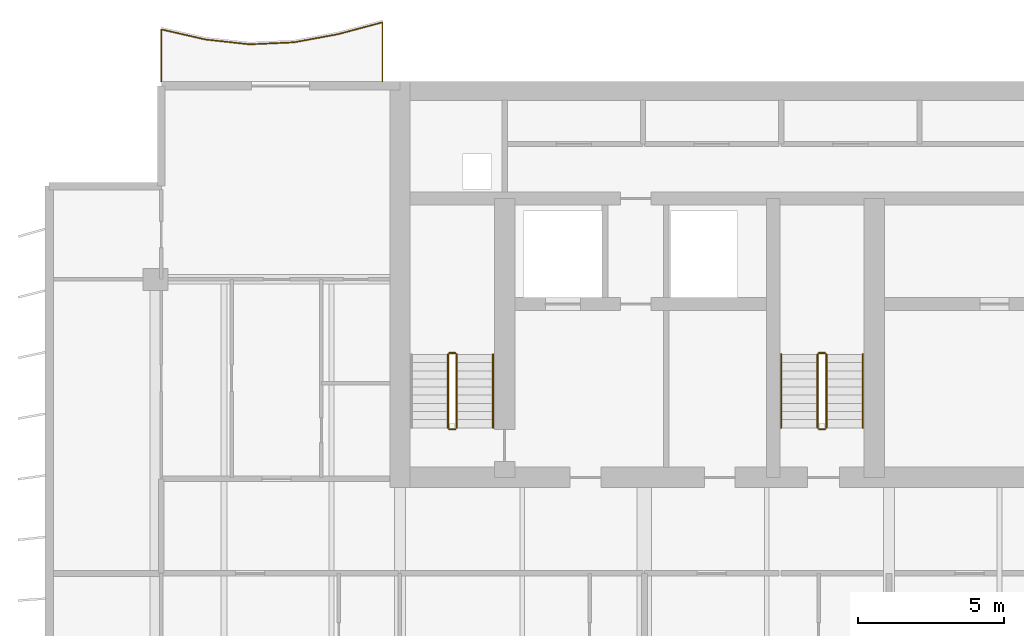
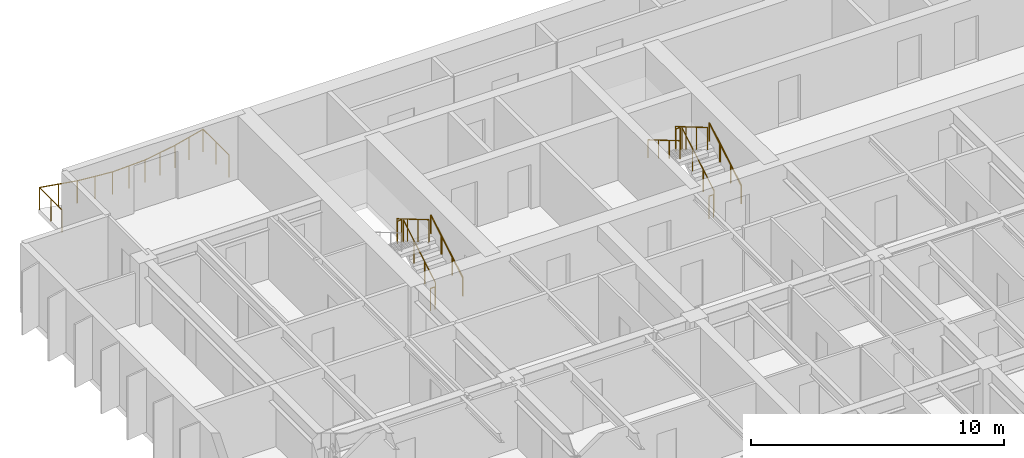
# One storey, part 17 of 19: 12 railings.
"""IFC4 building model written with IfcOpenShell, lengths in metres."""

from ifc_helpers import new_model, si_unit, direction, frame, origin, origin_2d, place, context, subcontext, project, spatial, circle, extrude, material, type_object, element, save


model = new_model("IFC4")

# Units and contexts
model_context = context("Model", 3, precision=1e-05, world=origin(), true_north=direction((0.0, 1.0)))
body_context = subcontext(model_context, "Body", "Model", "MODEL_VIEW")
ifc_project = project(units=[si_unit("LENGTHUNIT", "METRE"), si_unit("AREAUNIT", "SQUARE_METRE"), si_unit("VOLUMEUNIT", "CUBIC_METRE"), si_unit("PLANEANGLEUNIT", "RADIAN"), si_unit("MASSUNIT", "GRAM", prefix="KILO")], contexts=[model_context])

# Site, building, storey
site_placement = place(None, origin())
site = spatial("IfcSite", under=ifc_project, at=site_placement, CompositionType="ELEMENT")
building_placement = place(site_placement, origin())
building = spatial("IfcBuilding", under=site, at=building_placement, Name="Caelmar Bay Residences", CompositionType="ELEMENT")
storey_placement = place(building_placement, frame((0.0, 0.0, 167.10009765625)))
storey = spatial("IfcBuildingStorey", under=building, at=storey_placement, Name="L46", CompositionType="ELEMENT", Elevation=167.10009765625)

# Railings
ifc_material_1 = material(Name="Anodised bronze handrail with laminated hurricane glass infill", Category="glass")
railing_type_1 = type_object("IfcRailingType", Name="RL-BAL-1100", PredefinedType="BALUSTRADE", material=ifc_material_1)
railing_1_placement = place(storey_placement, frame((17.699951171875, 50.60009765625, 0.0)))
element("IfcRailing", 1, at=railing_1_placement, inside=storey, type_object=railing_type_1, Name="L46 north_west Balcony Balustrade", PredefinedType="BALUSTRADE", context=body_context, shape_type="SweptSolid", body=[
    extrude(circle(Radius=0.02392578125, at=origin_2d()), frame((0.0, 0.0, 1.076171875), z_axis=(0.0, 1.0, 0.0), x_axis=(-1.0, 0.0, 0.0)), (0.0, 0.0, 1.0), 2.031005859375),
    extrude(circle(Radius=0.02392578125, at=origin_2d()), frame((0.0, 2.031005859375, 1.076171875), z_axis=(-0.966206600501, -0.25776889872, 0.0), x_axis=(0.25776889872, -0.966206600501, 0.0)), (0.0, 0.0, 1.0), 1.5732421875),
    extrude(circle(Radius=0.02392578125, at=origin_2d()), frame((-1.52001953125, 1.62548828125, 1.076171875), z_axis=(-0.983309224326, -0.181942214331, 0.0), x_axis=(0.181942214331, -0.983309224326, 0.0)), (0.0, 0.0, 1.0), 1.5458984375),
    extrude(circle(Radius=0.02392578125, at=origin_2d()), frame((-3.0400390625, 1.34423828125, 1.076171875), z_axis=(-0.998975805625, -0.045247538899, 0.0), x_axis=(0.045247538899, -0.998975805625, 0.0)), (0.0, 0.0, 1.0), 1.521484375),
    extrude(circle(Radius=0.02392578125, at=origin_2d()), frame((-4.56005859375, 1.275390625, 1.076171875), z_axis=(-0.994138121061, 0.108117511319, 0.0), x_axis=(-0.108117511319, -0.994138121061, 0.0)), (0.0, 0.0, 1.0), 1.52880859375),
    extrude(circle(Radius=0.02392578125, at=origin_2d()), frame((-6.079833984375, 1.440673828125, 1.076171875), z_axis=(-0.974861421848, 0.222812046786, 0.0), x_axis=(-0.222812046786, -0.974861421848, 0.0)), (0.0, 0.0, 1.0), 1.559326171875),
    extrude(circle(Radius=0.02392578125, at=origin_2d()), frame((-7.599853515625, 1.7880859375, 1.076171875), z_axis=(0.0, -1.0, 0.0), x_axis=(1.0, 0.0, 0.0)), (0.0, 0.0, 1.0), 1.7880859375),
    extrude(circle(Radius=0.02099609375, at=origin_2d()), origin(), (0.0, 0.0, 1.0), 1.052001953125),
    extrude(circle(Radius=0.02099609375, at=origin_2d()), frame((0.0, 1.015625, 0.0)), (0.0, 0.0, 1.0), 1.052001953125),
    extrude(circle(Radius=0.02099609375, at=origin_2d()), frame((0.0, 2.031005859375, 0.0)), (0.0, 0.0, 1.0), 1.052001953125),
    extrude(circle(Radius=0.02099609375, at=origin_2d()), frame((-0.760009765625, 1.828125, 0.0)), (0.0, 0.0, 1.0), 1.052001953125),
    extrude(circle(Radius=0.02099609375, at=origin_2d()), frame((-1.52001953125, 1.62548828125, 0.0)), (0.0, 0.0, 1.0), 1.052001953125),
    extrude(circle(Radius=0.02099609375, at=origin_2d()), frame((-2.280029296875, 1.48486328125, 0.0)), (0.0, 0.0, 1.0), 1.052001953125),
    extrude(circle(Radius=0.02099609375, at=origin_2d()), frame((-3.0400390625, 1.34423828125, 0.0)), (0.0, 0.0, 1.0), 1.052001953125),
    extrude(circle(Radius=0.02099609375, at=origin_2d()), frame((-3.800048828125, 1.309814453125, 0.0)), (0.0, 0.0, 1.0), 1.052001953125),
    extrude(circle(Radius=0.02099609375, at=origin_2d()), frame((-4.56005859375, 1.275390625, 0.0)), (0.0, 0.0, 1.0), 1.052001953125),
    extrude(circle(Radius=0.02099609375, at=origin_2d()), frame((-5.31982421875, 1.35791015625, 0.0)), (0.0, 0.0, 1.0), 1.052001953125),
    extrude(circle(Radius=0.02099609375, at=origin_2d()), frame((-6.079833984375, 1.440673828125, 0.0)), (0.0, 0.0, 1.0), 1.052001953125),
    extrude(circle(Radius=0.02099609375, at=origin_2d()), frame((-6.83984375, 1.6142578125, 0.0)), (0.0, 0.0, 1.0), 1.052001953125),
    extrude(circle(Radius=0.02099609375, at=origin_2d()), frame((-7.599853515625, 1.7880859375, 0.0)), (0.0, 0.0, 1.0), 1.052001953125),
    extrude(circle(Radius=0.02099609375, at=origin_2d()), frame((-7.599853515625, 0.89404296875, 0.0)), (0.0, 0.0, 1.0), 1.052001953125),
    extrude(circle(Radius=0.02099609375, at=origin_2d()), frame((-7.599853515625, 0.0, 0.0)), (0.0, 0.0, 1.0), 1.052001953125),
])
ifc_material_2 = material(Name="Painted galvanized steel stair guard 1100 mm", Category="steel")
railing_type_2 = type_object("IfcRailingType", Name="RL-GRD-1100", PredefinedType="GUARDRAIL", material=ifc_material_2)
railing_2_placement = place(storey_placement, frame((20.25, 38.699951171875, 0.164794921875)))
element("IfcRailing", 2, at=railing_2_placement, inside=storey, type_object=railing_type_2, Name="L46 ST1 stair guard 1", PredefinedType="GUARDRAIL", context=body_context, shape_type="SweptSolid", body=[
    extrude(circle(Radius=0.02392578125, at=origin_2d()), frame((0.0, 0.0, 1.076171875), z_axis=(0.0, 0.86152411907, 0.507716645641), x_axis=(-1.0, 0.0, 0.0)), (0.0, 0.0, 1.0), 2.925048828125),
    extrude(circle(Radius=0.02099609375, at=origin_2d()), origin(), (0.0, 0.0, 1.0), 1.052001953125),
    extrude(circle(Radius=0.02099609375, at=origin_2d()), frame((0.0, 0.840087890625, 0.4951171875)), (0.0, 0.0, 1.0), 1.052001953125),
    extrude(circle(Radius=0.02099609375, at=origin_2d()), frame((0.0, 1.679931640625, 0.989990234375)), (0.0, 0.0, 1.0), 1.052001953125),
    extrude(circle(Radius=0.02099609375, at=origin_2d()), frame((0.0, 2.52001953125, 1.485107421875)), (0.0, 0.0, 1.0), 1.052001953125),
])
railing_3_placement = place(storey_placement, frame((20.199951171875, 41.27001953125, 1.64990234375)))
element("IfcRailing", 3, at=railing_3_placement, inside=storey, type_object=railing_type_2, Name="L46 ST1 stair guard 2", PredefinedType="GUARDRAIL", context=body_context, shape_type="SweptSolid", body=[
    extrude(circle(Radius=0.02392578125, at=origin_2d()), frame((0.0, 0.0, 1.076171875), z_axis=(-1.0, 0.0, 0.0), x_axis=(0.0, -1.0, 0.0)), (0.0, 0.0, 1.0), 0.199951171875),
    extrude(circle(Radius=0.02099609375, at=origin_2d()), origin(), (0.0, 0.0, 1.0), 1.052001953125),
    extrude(circle(Radius=0.02099609375, at=origin_2d()), frame((-0.199951171875, 0.0, 0.0)), (0.0, 0.0, 1.0), 1.052001953125),
])
railing_4_placement = place(storey_placement, frame((19.949951171875, 41.219970703125, 1.81494140625)))
element("IfcRailing", 4, at=railing_4_placement, inside=storey, type_object=railing_type_2, Name="L46 ST1 stair guard 3", PredefinedType="GUARDRAIL", context=body_context, shape_type="SweptSolid", body=[
    extrude(circle(Radius=0.02392578125, at=origin_2d()), frame((0.0, 0.0, 1.076171875), z_axis=(0.0, -0.861560626758, 0.507654692109), x_axis=(1.0, 0.0, 0.0)), (0.0, 0.0, 1.0), 2.925048828125),
    extrude(circle(Radius=0.02099609375, at=origin_2d()), origin(), (0.0, 0.0, 1.0), 1.052001953125),
    extrude(circle(Radius=0.02099609375, at=origin_2d()), frame((0.0, -0.840087890625, 0.494873046875)), (0.0, 0.0, 1.0), 1.052001953125),
    extrude(circle(Radius=0.02099609375, at=origin_2d()), frame((0.0, -1.679931640625, 0.989990234375)), (0.0, 0.0, 1.0), 1.052001953125),
    extrude(circle(Radius=0.02099609375, at=origin_2d()), frame((0.0, -2.52001953125, 1.48486328125)), (0.0, 0.0, 1.0), 1.052001953125),
])
railing_5_placement = place(storey_placement, frame((20.199951171875, 38.64990234375, 0.0)))
element("IfcRailing", 5, at=railing_5_placement, inside=storey, type_object=railing_type_2, Name="L46 ST1 stair guard 4", PredefinedType="GUARDRAIL", context=body_context, shape_type="SweptSolid", body=[
    extrude(circle(Radius=0.02392578125, at=origin_2d()), frame((0.0, 0.0, 1.076171875), z_axis=(-1.0, 0.0, 0.0), x_axis=(0.0, -1.0, 0.0)), (0.0, 0.0, 1.0), 0.199951171875),
    extrude(circle(Radius=0.02099609375, at=origin_2d()), origin(), (0.0, 0.0, 1.0), 1.052001953125),
    extrude(circle(Radius=0.02099609375, at=origin_2d()), frame((-0.199951171875, 0.0, 0.0)), (0.0, 0.0, 1.0), 1.052001953125),
])
railing_6_placement = place(storey_placement, frame((32.949951171875, 38.699951171875, 0.164794921875)))
element("IfcRailing", 6, at=railing_6_placement, inside=storey, type_object=railing_type_2, Name="L46 ST3 stair guard 1", PredefinedType="GUARDRAIL", context=body_context, shape_type="SweptSolid", body=[
    extrude(circle(Radius=0.02392578125, at=origin_2d()), frame((0.0, 0.0, 1.076171875), z_axis=(0.0, 0.86152411907, 0.507716645641), x_axis=(-1.0, 0.0, 0.0)), (0.0, 0.0, 1.0), 2.925048828125),
    extrude(circle(Radius=0.02099609375, at=origin_2d()), origin(), (0.0, 0.0, 1.0), 1.052001953125),
    extrude(circle(Radius=0.02099609375, at=origin_2d()), frame((0.0, 0.840087890625, 0.4951171875)), (0.0, 0.0, 1.0), 1.052001953125),
    extrude(circle(Radius=0.02099609375, at=origin_2d()), frame((0.0, 1.679931640625, 0.989990234375)), (0.0, 0.0, 1.0), 1.052001953125),
    extrude(circle(Radius=0.02099609375, at=origin_2d()), frame((0.0, 2.52001953125, 1.485107421875)), (0.0, 0.0, 1.0), 1.052001953125),
])
railing_7_placement = place(storey_placement, frame((32.89990234375, 41.27001953125, 1.64990234375)))
element("IfcRailing", 7, at=railing_7_placement, inside=storey, type_object=railing_type_2, Name="L46 ST3 stair guard 2", PredefinedType="GUARDRAIL", context=body_context, shape_type="SweptSolid", body=[
    extrude(circle(Radius=0.02392578125, at=origin_2d()), frame((0.0, 0.0, 1.076171875), z_axis=(-1.0, 0.0, 0.0), x_axis=(0.0, -1.0, 0.0)), (0.0, 0.0, 1.0), 0.199951171875),
    extrude(circle(Radius=0.02099609375, at=origin_2d()), origin(), (0.0, 0.0, 1.0), 1.052001953125),
    extrude(circle(Radius=0.02099609375, at=origin_2d()), frame((-0.199951171875, 0.0, 0.0)), (0.0, 0.0, 1.0), 1.052001953125),
])
railing_8_placement = place(storey_placement, frame((32.64990234375, 41.219970703125, 1.81494140625)))
element("IfcRailing", 8, at=railing_8_placement, inside=storey, type_object=railing_type_2, Name="L46 ST3 stair guard 3", PredefinedType="GUARDRAIL", context=body_context, shape_type="SweptSolid", body=[
    extrude(circle(Radius=0.02392578125, at=origin_2d()), frame((0.0, 0.0, 1.076171875), z_axis=(0.0, -0.861560626758, 0.507654692109), x_axis=(1.0, 0.0, 0.0)), (0.0, 0.0, 1.0), 2.925048828125),
    extrude(circle(Radius=0.02099609375, at=origin_2d()), origin(), (0.0, 0.0, 1.0), 1.052001953125),
    extrude(circle(Radius=0.02099609375, at=origin_2d()), frame((0.0, -0.840087890625, 0.494873046875)), (0.0, 0.0, 1.0), 1.052001953125),
    extrude(circle(Radius=0.02099609375, at=origin_2d()), frame((0.0, -1.679931640625, 0.989990234375)), (0.0, 0.0, 1.0), 1.052001953125),
    extrude(circle(Radius=0.02099609375, at=origin_2d()), frame((0.0, -2.52001953125, 1.48486328125)), (0.0, 0.0, 1.0), 1.052001953125),
])
railing_9_placement = place(storey_placement, frame((32.89990234375, 38.64990234375, 0.0)))
element("IfcRailing", 9, at=railing_9_placement, inside=storey, type_object=railing_type_2, Name="L46 ST3 stair guard 4", PredefinedType="GUARDRAIL", context=body_context, shape_type="SweptSolid", body=[
    extrude(circle(Radius=0.02392578125, at=origin_2d()), frame((0.0, 0.0, 1.076171875), z_axis=(-1.0, 0.0, 0.0), x_axis=(0.0, -1.0, 0.0)), (0.0, 0.0, 1.0), 0.199951171875),
    extrude(circle(Radius=0.02099609375, at=origin_2d()), origin(), (0.0, 0.0, 1.0), 1.052001953125),
    extrude(circle(Radius=0.02099609375, at=origin_2d()), frame((-0.199951171875, 0.0, 0.0)), (0.0, 0.0, 1.0), 1.052001953125),
])
ifc_material_3 = material(Name="Brushed bronze stainless-steel tubular handrail 900 mm", Category="steel")
railing_type_3 = type_object("IfcRailingType", Name="RL-HND-900", PredefinedType="HANDRAIL", material=ifc_material_3)
for number, where, name in (
    (10, (21.5, 38.699951171875, 0.164794921875), "L46 ST1 stair handrail 1"),
    (11, (34.199951171875, 38.699951171875, 0.164794921875), "L46 ST3 stair handrail 1"),
):
    element("IfcRailing", number, at=place(storey_placement, frame(where)), inside=storey, type_object=railing_type_3, Name=name, PredefinedType="HANDRAIL", context=body_context, shape_type="SweptSolid", body=[
        extrude(circle(Radius=0.02392578125, at=origin_2d()), frame((0.0, 0.0, 0.8759765625), z_axis=(0.0, 0.86152411907, 0.507716645641), x_axis=(-1.0, 0.0, 0.0)), (0.0, 0.0, 1.0), 2.925048828125),
        extrude(circle(Radius=0.02099609375, at=origin_2d()), origin(), (0.0, 0.0, 1.0), 0.851806640625),
        extrude(circle(Radius=0.02099609375, at=origin_2d()), frame((0.0, 0.840087890625, 0.4951171875)), (0.0, 0.0, 1.0), 0.851806640625),
        extrude(circle(Radius=0.02099609375, at=origin_2d()), frame((0.0, 1.679931640625, 0.989990234375)), (0.0, 0.0, 1.0), 0.851806640625),
        extrude(circle(Radius=0.02099609375, at=origin_2d()), frame((0.0, 2.52001953125, 1.485107421875)), (0.0, 0.0, 1.0), 0.851806640625),
    ])
railing_10_placement = place(storey_placement, frame((31.39990234375, 41.219970703125, 1.81494140625)))
element("IfcRailing", 12, at=railing_10_placement, inside=storey, type_object=railing_type_3, Name="L46 ST3 stair handrail 2", PredefinedType="HANDRAIL", context=body_context, shape_type="SweptSolid", body=[
    extrude(circle(Radius=0.02392578125, at=origin_2d()), frame((0.0, 0.0, 0.8759765625), z_axis=(0.0, -0.861560626758, 0.507654692109), x_axis=(1.0, 0.0, 0.0)), (0.0, 0.0, 1.0), 2.925048828125),
    extrude(circle(Radius=0.02099609375, at=origin_2d()), origin(), (0.0, 0.0, 1.0), 0.851806640625),
    extrude(circle(Radius=0.02099609375, at=origin_2d()), frame((0.0, -0.840087890625, 0.494873046875)), (0.0, 0.0, 1.0), 0.851806640625),
    extrude(circle(Radius=0.02099609375, at=origin_2d()), frame((0.0, -1.679931640625, 0.989990234375)), (0.0, 0.0, 1.0), 0.851806640625),
    extrude(circle(Radius=0.02099609375, at=origin_2d()), frame((0.0, -2.52001953125, 1.48486328125)), (0.0, 0.0, 1.0), 0.851806640625),
])

save(model, "model.ifc")
